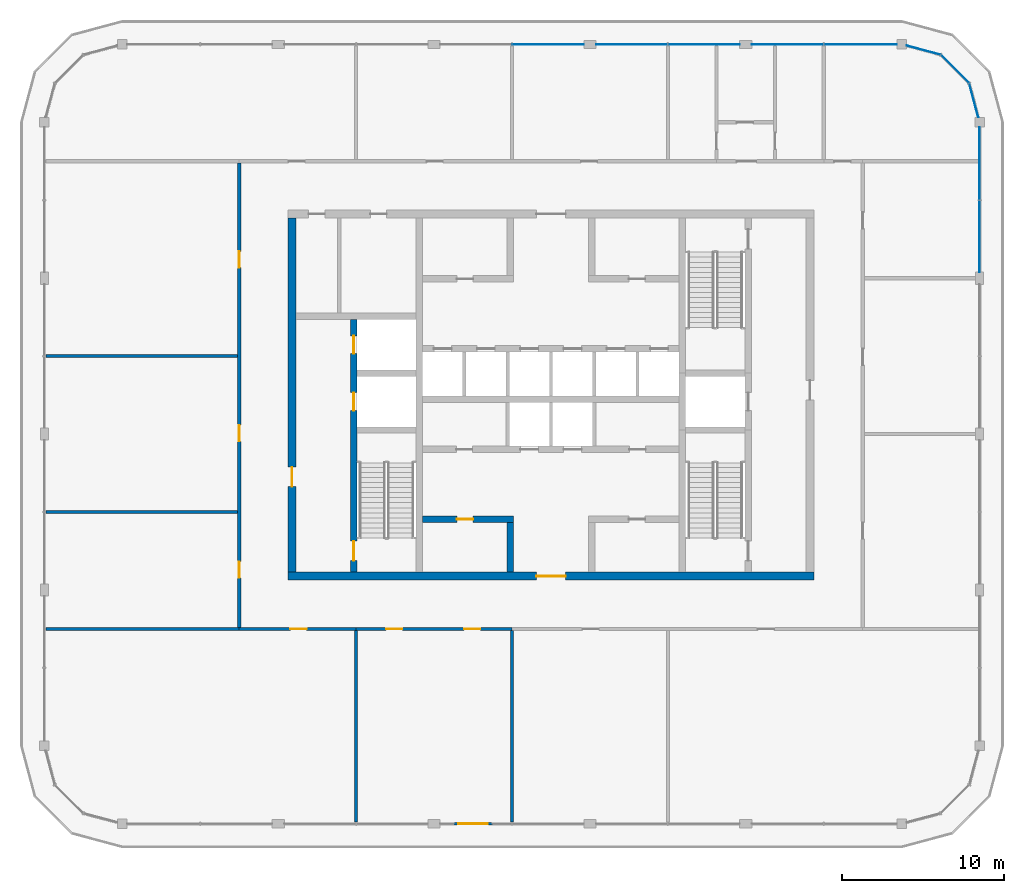
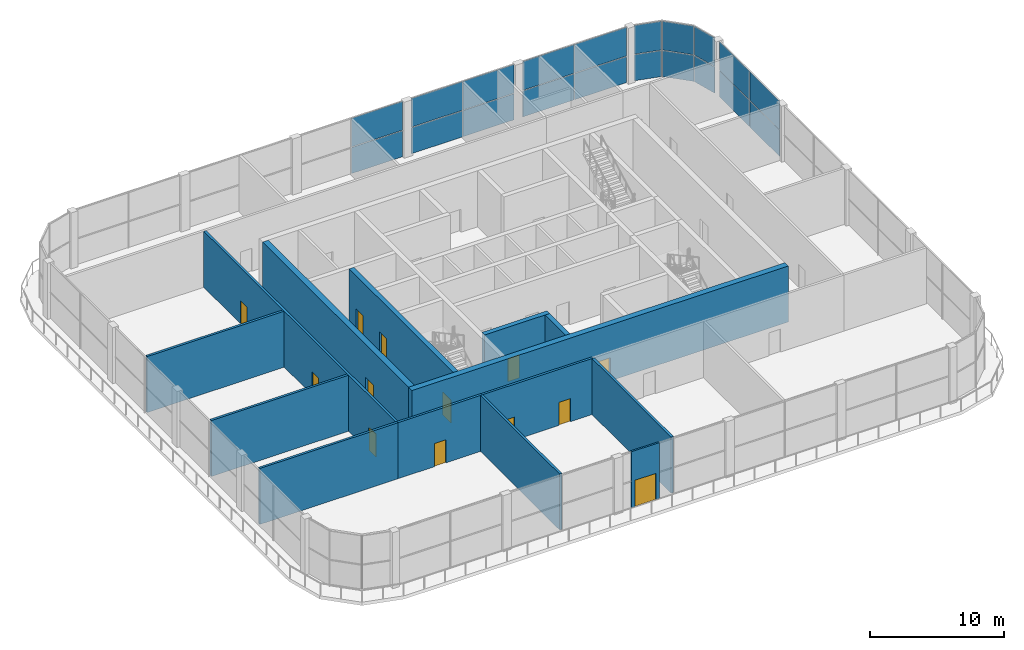
# One storey, part 9 of 15: 20 plates, 14 walls, 13 doors, 13 openings, 5 elements without a shape of their own.
"""IFC4 building model written with IfcOpenShell, lengths in metres."""

from ifc_helpers import new_model, si_unit, direction, frame, frame_2d, origin, origin_2d, place, context, subcontext, project, spatial, rectangle, extrude, material, layer, layer_set, type_object, element, fill, aggregate, save


model = new_model("IFC4")

# Units and contexts
model_context = context("Model", 3, precision=1e-05, world=origin(), true_north=direction((0.0, 1.0)))
body_context = subcontext(model_context, "Body", "Model", "MODEL_VIEW")
ifc_project = project(units=[si_unit("LENGTHUNIT", "METRE"), si_unit("AREAUNIT", "SQUARE_METRE"), si_unit("VOLUMEUNIT", "CUBIC_METRE"), si_unit("PLANEANGLEUNIT", "RADIAN"), si_unit("MASSUNIT", "GRAM", prefix="KILO")], contexts=[model_context])

# Site, building, storey
site_placement = place(None, origin())
site = spatial("IfcSite", under=ifc_project, at=site_placement, CompositionType="ELEMENT")
building_placement = place(site_placement, origin())
building = spatial("IfcBuilding", under=site, at=building_placement, Name="Madar Terraces", CompositionType="ELEMENT")
storey_placement = place(building_placement, frame((0.0, 0.0, 286.10009765625)))
storey = spatial("IfcBuildingStorey", under=building, at=storey_placement, Name="L75", CompositionType="ELEMENT", Elevation=286.10009765625)

# Curtain wall, plates
ifc_material_1 = material(Name="Glass, clear low-iron, with black aluminium frame", Category="aluminium")
ifc_layer_1 = layer(ifc_material_1, 0.199951171875)
ifc_layer_set_1 = layer_set([ifc_layer_1], Name="Facade curtain wall, observation glazing")
curtain_wall_type = type_object("IfcCurtainWallType", Name="Facade curtain wall, observation glazing", PredefinedType="NOTDEFINED", material=ifc_layer_set_1)
curtain_wall_1_placement = place(storey_placement, origin())
curtain_wall_1 = element("IfcCurtainWall", 1, at=curtain_wall_1_placement, inside=storey, type_object=curtain_wall_type, Name="Outer skin curtain wall east bay 4", PredefinedType="NOTDEFINED")
ifc_material_2 = material(Name="Glass, ceramic frit dark grey", Category="glass")
ifc_layer_2 = layer(ifc_material_2, 0.028076171875)
ifc_layer_set_2 = layer_set([ifc_layer_2], Name="Facade glass panel 28")
plate_type = type_object("IfcPlateType", Name="Facade glass panel 28", PredefinedType="CURTAIN_PANEL", material=ifc_layer_set_2)
plate_1_placement = place(storey_placement, frame((57.60009765625, 36.172607421875, -0.000244140625), z_axis=(0.0, 0.0, 1.0), x_axis=(0.0, 1.0, 0.0)))
plate_1 = element("IfcPlate", 2, at=plate_1_placement, type_object=plate_type, Name="Panel 1", PredefinedType="CURTAIN_PANEL", context=body_context, shape_type="SweptSolid", body=[
    extrude(rectangle(XDim=4.39501953125, YDim=0.028076171875, at=origin_2d()), origin(), (0.0, 0.0, 1.0), 2.3701171875),
])
plate_2_placement = place(storey_placement, frame((57.60009765625, 36.172607421875, 2.4296875), z_axis=(0.0, 0.0, 1.0), x_axis=(0.0, 1.0, 0.0)))
plate_2 = element("IfcPlate", 3, at=plate_2_placement, type_object=plate_type, Name="Panel 2", PredefinedType="CURTAIN_PANEL", context=body_context, shape_type="SweptSolid", body=[
    extrude(rectangle(XDim=4.39501953125, YDim=0.028076171875, at=origin_2d()), origin(), (0.0, 0.0, 1.0), 2.610107421875),
])
plate_3_placement = place(storey_placement, frame((57.60009765625, 40.6650390625, -0.000244140625), z_axis=(0.0, 0.0, 1.0), x_axis=(0.0, 1.0, 0.0)))
plate_3 = element("IfcPlate", 4, at=plate_3_placement, type_object=plate_type, Name="Panel 3", PredefinedType="CURTAIN_PANEL", context=body_context, shape_type="SweptSolid", body=[
    extrude(rectangle(XDim=4.469970703125, YDim=0.028076171875, at=origin_2d()), origin(), (0.0, 0.0, 1.0), 2.3701171875),
])
plate_4_placement = place(storey_placement, frame((57.60009765625, 40.6650390625, 2.4296875), z_axis=(0.0, 0.0, 1.0), x_axis=(0.0, 1.0, 0.0)))
plate_4 = element("IfcPlate", 5, at=plate_4_placement, type_object=plate_type, Name="Panel 4", PredefinedType="CURTAIN_PANEL", context=body_context, shape_type="SweptSolid", body=[
    extrude(rectangle(XDim=4.469970703125, YDim=0.028076171875, at=origin_2d()), origin(), (0.0, 0.0, 1.0), 2.610107421875),
])
aggregate(curtain_wall_1, [plate_1, plate_2, plate_3, plate_4])

curtain_wall_2_placement = place(storey_placement, origin())
curtain_wall_2 = element("IfcCurtainWall", 6, at=curtain_wall_2_placement, inside=storey, type_object=curtain_wall_type, Name="Outer skin curtain wall north bay 1", PredefinedType="NOTDEFINED")
plate_5_placement = place(storey_placement, frame((50.264892578125, 48.0, -0.000244140625), z_axis=(0.0, 0.0, 1.0), x_axis=(-1.0, 0.0, 0.0)))
plate_5 = element("IfcPlate", 7, at=plate_5_placement, type_object=plate_type, Name="Panel 1", PredefinedType="CURTAIN_PANEL", context=body_context, shape_type="SweptSolid", body=[
    extrude(rectangle(XDim=4.469970703125, YDim=0.028076171875, at=origin_2d()), origin(), (0.0, 0.0, 1.0), 2.3701171875),
])
plate_6_placement = place(storey_placement, frame((50.264892578125, 48.0, 2.4296875), z_axis=(0.0, 0.0, 1.0), x_axis=(-1.0, 0.0, 0.0)))
plate_6 = element("IfcPlate", 8, at=plate_6_placement, type_object=plate_type, Name="Panel 2", PredefinedType="CURTAIN_PANEL", context=body_context, shape_type="SweptSolid", body=[
    extrude(rectangle(XDim=4.469970703125, YDim=0.028076171875, at=origin_2d()), origin(), (0.0, 0.0, 1.0), 2.610107421875),
])
plate_7_placement = place(storey_placement, frame((45.7724609375, 48.0, -0.000244140625), z_axis=(0.0, 0.0, 1.0), x_axis=(-1.0, 0.0, 0.0)))
plate_7 = element("IfcPlate", 9, at=plate_7_placement, type_object=plate_type, Name="Panel 3", PredefinedType="CURTAIN_PANEL", context=body_context, shape_type="SweptSolid", body=[
    extrude(rectangle(XDim=4.39501953125, YDim=0.028076171875, at=origin_2d()), origin(), (0.0, 0.0, 1.0), 2.3701171875),
])
plate_8_placement = place(storey_placement, frame((45.7724609375, 48.0, 2.4296875), z_axis=(0.0, 0.0, 1.0), x_axis=(-1.0, 0.0, 0.0)))
plate_8 = element("IfcPlate", 10, at=plate_8_placement, type_object=plate_type, Name="Panel 4", PredefinedType="CURTAIN_PANEL", context=body_context, shape_type="SweptSolid", body=[
    extrude(rectangle(XDim=4.39501953125, YDim=0.028076171875, at=origin_2d()), origin(), (0.0, 0.0, 1.0), 2.610107421875),
])
aggregate(curtain_wall_2, [plate_5, plate_6, plate_7, plate_8])

curtain_wall_3_placement = place(storey_placement, origin())
curtain_wall_3 = element("IfcCurtainWall", 11, at=curtain_wall_3_placement, inside=storey, type_object=curtain_wall_type, Name="Outer skin curtain wall north bay 2", PredefinedType="NOTDEFINED")
plate_9_placement = place(storey_placement, frame((40.62744140625, 48.0, -0.000244140625), z_axis=(0.0, 0.0, 1.0), x_axis=(-1.0, 0.0, 0.0)))
plate_9 = element("IfcPlate", 12, at=plate_9_placement, type_object=plate_type, Name="Panel 1", PredefinedType="CURTAIN_PANEL", context=body_context, shape_type="SweptSolid", body=[
    extrude(rectangle(XDim=4.39501953125, YDim=0.028076171875, at=origin_2d()), origin(), (0.0, 0.0, 1.0), 2.3701171875),
])
plate_10_placement = place(storey_placement, frame((40.62744140625, 48.0, 2.4296875), z_axis=(0.0, 0.0, 1.0), x_axis=(-1.0, 0.0, 0.0)))
plate_10 = element("IfcPlate", 13, at=plate_10_placement, type_object=plate_type, Name="Panel 2", PredefinedType="CURTAIN_PANEL", context=body_context, shape_type="SweptSolid", body=[
    extrude(rectangle(XDim=4.39501953125, YDim=0.028076171875, at=origin_2d()), origin(), (0.0, 0.0, 1.0), 2.610107421875),
])
plate_11_placement = place(storey_placement, frame((36.172607421875, 48.0, -0.000244140625), z_axis=(0.0, 0.0, 1.0), x_axis=(-1.0, 0.0, 0.0)))
plate_11 = element("IfcPlate", 14, at=plate_11_placement, type_object=plate_type, Name="Panel 3", PredefinedType="CURTAIN_PANEL", context=body_context, shape_type="SweptSolid", body=[
    extrude(rectangle(XDim=4.39501953125, YDim=0.028076171875, at=origin_2d()), origin(), (0.0, 0.0, 1.0), 2.3701171875),
])
plate_12_placement = place(storey_placement, frame((36.172607421875, 48.0, 2.4296875), z_axis=(0.0, 0.0, 1.0), x_axis=(-1.0, 0.0, 0.0)))
plate_12 = element("IfcPlate", 15, at=plate_12_placement, type_object=plate_type, Name="Panel 4", PredefinedType="CURTAIN_PANEL", context=body_context, shape_type="SweptSolid", body=[
    extrude(rectangle(XDim=4.39501953125, YDim=0.028076171875, at=origin_2d()), origin(), (0.0, 0.0, 1.0), 2.610107421875),
])
aggregate(curtain_wall_3, [plate_9, plate_10, plate_11, plate_12])

curtain_wall_4_placement = place(storey_placement, origin())
curtain_wall_4 = element("IfcCurtainWall", 16, at=curtain_wall_4_placement, inside=storey, type_object=curtain_wall_type, Name="Outer skin curtain wall north bay 3", PredefinedType="NOTDEFINED")
plate_13_placement = place(storey_placement, frame((31.027587890625, 48.0, -0.000244140625), z_axis=(0.0, 0.0, 1.0), x_axis=(-1.0, 0.0, 0.0)))
plate_13 = element("IfcPlate", 17, at=plate_13_placement, type_object=plate_type, Name="Panel 1", PredefinedType="CURTAIN_PANEL", context=body_context, shape_type="SweptSolid", body=[
    extrude(rectangle(XDim=4.39501953125, YDim=0.028076171875, at=origin_2d()), origin(), (0.0, 0.0, 1.0), 2.3701171875),
])
plate_14_placement = place(storey_placement, frame((31.027587890625, 48.0, 2.4296875), z_axis=(0.0, 0.0, 1.0), x_axis=(-1.0, 0.0, 0.0)))
plate_14 = element("IfcPlate", 18, at=plate_14_placement, type_object=plate_type, Name="Panel 2", PredefinedType="CURTAIN_PANEL", context=body_context, shape_type="SweptSolid", body=[
    extrude(rectangle(XDim=4.39501953125, YDim=0.028076171875, at=origin_2d()), origin(), (0.0, 0.0, 1.0), 2.610107421875),
])
aggregate(curtain_wall_4, [plate_13, plate_14])

curtain_wall_5_placement = place(storey_placement, origin())
curtain_wall_5 = element("IfcCurtainWall", 19, at=curtain_wall_5_placement, inside=storey, type_object=curtain_wall_type, Name="Outer skin curtain wall north-east corner", PredefinedType="NOTDEFINED")
plate_15_placement = place(storey_placement, frame((57.2421875, 44.535400390625, -0.000244140625), z_axis=(0.0, 0.0, 1.0), x_axis=(-0.258819021888, 0.965925832509, 0.0)))
plate_15 = element("IfcPlate", 20, at=plate_15_placement, type_object=plate_type, Name="Panel 1", PredefinedType="CURTAIN_PANEL", context=body_context, shape_type="SweptSolid", body=[
    extrude(rectangle(XDim=2.14404296875, YDim=0.028076171875, at=origin_2d()), origin(), (0.0, 0.0, 1.0), 2.3701171875),
])
plate_16_placement = place(storey_placement, frame((57.2421875, 44.535400390625, 2.4296875), z_axis=(0.0, 0.0, 1.0), x_axis=(-0.258819021888, 0.965925832509, 0.0)))
plate_16 = element("IfcPlate", 21, at=plate_16_placement, type_object=plate_type, Name="Panel 2", PredefinedType="CURTAIN_PANEL", context=body_context, shape_type="SweptSolid", body=[
    extrude(rectangle(XDim=2.14404296875, YDim=0.028076171875, at=origin_2d()), origin(), (0.0, 0.0, 1.0), 2.610107421875),
])
plate_17_placement = place(storey_placement, frame((56.078369140625, 46.478515625, -0.000244140625), z_axis=(0.0, 0.0, 1.0), x_axis=(-0.707106781187, 0.707106781187, 0.0)))
plate_17 = element("IfcPlate", 22, at=plate_17_placement, type_object=plate_type, Name="Panel 3", PredefinedType="CURTAIN_PANEL", context=body_context, shape_type="SweptSolid", body=[
    extrude(rectangle(XDim=2.424560546875, YDim=0.028076171875, at=origin_2d()), origin(), (0.0, 0.0, 1.0), 2.3701171875),
])
plate_18_placement = place(storey_placement, frame((56.078369140625, 46.478515625, 2.4296875), z_axis=(0.0, 0.0, 1.0), x_axis=(-0.707106781187, 0.707106781187, 0.0)))
plate_18 = element("IfcPlate", 23, at=plate_18_placement, type_object=plate_type, Name="Panel 4", PredefinedType="CURTAIN_PANEL", context=body_context, shape_type="SweptSolid", body=[
    extrude(rectangle(XDim=2.424560546875, YDim=0.028076171875, at=origin_2d()), origin(), (0.0, 0.0, 1.0), 2.610107421875),
])
plate_19_placement = place(storey_placement, frame((54.135498046875, 47.64208984375, -0.000244140625), z_axis=(0.0, 0.0, 1.0), x_axis=(-0.965925832509, 0.258819021888, 0.0)))
plate_19 = element("IfcPlate", 24, at=plate_19_placement, type_object=plate_type, Name="Panel 5", PredefinedType="CURTAIN_PANEL", context=body_context, shape_type="SweptSolid", body=[
    extrude(rectangle(XDim=2.14404296875, YDim=0.028076171875, at=origin_2d()), origin(), (0.0, 0.0, 1.0), 2.3701171875),
])
plate_20_placement = place(storey_placement, frame((54.135498046875, 47.64208984375, 2.4296875), z_axis=(0.0, 0.0, 1.0), x_axis=(-0.965925832509, 0.258819021888, 0.0)))
plate_20 = element("IfcPlate", 25, at=plate_20_placement, type_object=plate_type, Name="Panel 6", PredefinedType="CURTAIN_PANEL", context=body_context, shape_type="SweptSolid", body=[
    extrude(rectangle(XDim=2.14404296875, YDim=0.028076171875, at=origin_2d()), origin(), (0.0, 0.0, 1.0), 2.610107421875),
])
aggregate(curtain_wall_5, [plate_15, plate_16, plate_17, plate_18, plate_19, plate_20])

# Wall, openings, doors
ifc_material_3 = material(Name="Concrete C50/60", Category="concrete")
ifc_layer_3 = layer(ifc_material_3, 0.39990234375)
ifc_layer_set_3 = layer_set([ifc_layer_3], Name="Concrete C50/60 (CIW6 RC wall 400)")
wall_type_1 = type_object("IfcWallType", Name="CIW6 RC wall 400", PredefinedType="SHEAR", material=ifc_layer_set_3)
wall_1_placement = place(storey_placement, frame((19.050048828125, 15.5, 0.0), z_axis=(0.0, 0.0, 1.0), x_axis=(0.0, 1.0, 0.0)))
wall_1 = element("IfcWall", 26, at=wall_1_placement, inside=storey, type_object=wall_type_1, Name="CORE SHAFT WALL", PredefinedType="SHEAR", context=body_context, shape_type="SweptSolid", body=[
    extrude(rectangle(XDim=15.550048828125, YDim=0.39990234375, at=frame_2d((7.77490234375, 0.0))), origin(), (0.0, 0.0, 1.0), 5.099853515625),
])
opening_1_placement = place(wall_1_placement, frame((9.949951171875, 0.0, 0.0)))
opening_1 = element("IfcOpeningElement", 27, at=opening_1_placement, cuts=wall_1, Name="Opening LD", PredefinedType="OPENING", context=body_context, shape_type="SweptSolid", body=[
    extrude(rectangle(XDim=1.10009765625, YDim=2.10009765625, at=frame_2d((0.550048828125, 1.050048828125))), frame((0.0, 0.2099609375, 0.0), z_axis=(0.0, -1.0, 0.0), x_axis=(1.0, 0.0, 0.0)), (0.0, 0.0, 1.0), 0.419921875),
])
opening_2_placement = place(wall_1_placement, frame((13.449951171875, 0.0, 0.0)))
opening_2 = element("IfcOpeningElement", 28, at=opening_2_placement, cuts=wall_1, Name="Opening LD", PredefinedType="OPENING", context=body_context, shape_type="SweptSolid", body=[
    extrude(rectangle(XDim=1.10009765625, YDim=2.10009765625, at=frame_2d((0.550048828125, 1.050048828125))), frame((0.0, 0.2099609375, 0.0), z_axis=(0.0, -1.0, 0.0), x_axis=(1.0, 0.0, 0.0)), (0.0, 0.0, 1.0), 0.419921875),
])
opening_3_placement = place(wall_1_placement, frame((0.699951171875, 0.0, 0.0)))
opening_3 = element("IfcOpeningElement", 29, at=opening_3_placement, cuts=wall_1, Name="Opening SD1", PredefinedType="OPENING", context=body_context, shape_type="SweptSolid", body=[
    extrude(rectangle(XDim=1.199951171875, YDim=2.10009765625, at=frame_2d((0.60009765625, 1.050048828125))), frame((0.0, 0.2099609375, 0.0), z_axis=(0.0, -1.0, 0.0), x_axis=(1.0, 0.0, 0.0)), (0.0, 0.0, 1.0), 0.419921875),
])
ifc_material_4 = material(Name="Stainless steel panel", Category="steel")
door_type_1 = type_object("IfcDoorType", Name="Lift landing door 1100 x 2100", OperationType="DOUBLE_DOOR_SLIDING", PredefinedType="DOOR", material=ifc_material_4)
door_1_placement = place(opening_1_placement, origin())
door_1 = element("IfcDoor", 30, at=door_1_placement, inside=storey, type_object=door_type_1, Name="LIFT LANDING DOOR", OperationType="DOUBLE_DOOR_SLIDING", OverallHeight=2.10009765625, OverallWidth=1.10009765625, PredefinedType="DOOR", context=body_context, shape_type="SweptSolid", body=[
    extrude(rectangle(XDim=1.10009765625, YDim=2.10009765625, at=frame_2d((0.550048828125, 1.050048828125))), frame((0.0, 0.02490234375, 0.0), z_axis=(0.0, -1.0, 0.0), x_axis=(1.0, 0.0, 0.0)), (0.0, 0.0, 1.0), 0.050048828125),
])
fill(opening_1, door_1)
door_2_placement = place(opening_2_placement, origin())
door_2 = element("IfcDoor", 31, at=door_2_placement, inside=storey, type_object=door_type_1, Name="LIFT LANDING DOOR", OperationType="DOUBLE_DOOR_SLIDING", OverallHeight=2.10009765625, OverallWidth=1.10009765625, PredefinedType="DOOR", context=body_context, shape_type="SweptSolid", body=[
    extrude(rectangle(XDim=1.10009765625, YDim=2.10009765625, at=frame_2d((0.550048828125, 1.050048828125))), frame((0.0, 0.02490234375, 0.0), z_axis=(0.0, -1.0, 0.0), x_axis=(1.0, 0.0, 0.0)), (0.0, 0.0, 1.0), 0.050048828125),
])
fill(opening_2, door_2)
ifc_material_5 = material(Name="Steel door leaf", Category="steel")
door_type_2 = type_object("IfcDoorType", Name="Stair door 1200 x 2100", OperationType="NOTDEFINED", PredefinedType="DOOR", material=ifc_material_5)
door_3_placement = place(opening_3_placement, frame((1.199951171875, 0.0, 0.0), z_axis=(0.0, 0.0, 1.0), x_axis=(-1.0, 0.0, 0.0)))
door_3 = element("IfcDoor", 32, at=door_3_placement, inside=storey, type_object=door_type_2, Name="STAIR DOOR", OperationType="SINGLE_SWING_LEFT", OverallHeight=2.10009765625, OverallWidth=1.199951171875, PredefinedType="DOOR", context=body_context, shape_type="SweptSolid", body=[
    extrude(rectangle(XDim=1.199951171875, YDim=2.10009765625, at=frame_2d((0.60009765625, 1.050048828125))), frame((0.0, 0.02490234375, 0.0), z_axis=(0.0, -1.0, 0.0), x_axis=(1.0, 0.0, 0.0)), (0.0, 0.0, 1.0), 0.050048828125),
])
fill(opening_3, door_3)

# Wall, opening, door
wall_2_placement = place(storey_placement, frame((23.300048828125, 18.75, 0.0), z_axis=(0.0, 0.0, 1.0), x_axis=(1.0, 0.0, 0.0)))
wall_2 = element("IfcWall", 33, at=wall_2_placement, inside=storey, type_object=wall_type_1, Name="CORE SHAFT WALL", PredefinedType="SHEAR", context=body_context, shape_type="SweptSolid", body=[
    extrude(rectangle(XDim=5.599853515625, YDim=0.39990234375, at=frame_2d((2.7998046875, 0.0))), origin(), (0.0, 0.0, 1.0), 5.099853515625),
])
opening_4_placement = place(wall_2_placement, frame((2.10009765625, 0.0, 0.0)))
opening_4 = element("IfcOpeningElement", 34, at=opening_4_placement, cuts=wall_2, Name="Opening KD2", PredefinedType="OPENING", context=body_context, shape_type="SweptSolid", body=[
    extrude(rectangle(XDim=1.0, YDim=2.10009765625, at=frame_2d((0.5, 1.050048828125))), frame((0.0, 0.2099609375, 0.0), z_axis=(0.0, -1.0, 0.0), x_axis=(1.0, 0.0, 0.0)), (0.0, 0.0, 1.0), 0.419921875),
])
ifc_material_6 = material(Name="Steel door leaf", Category="steel")
door_type_3 = type_object("IfcDoorType", Name="Service room door 1000 x 2100", OperationType="NOTDEFINED", PredefinedType="DOOR", material=ifc_material_6)
door_4_placement = place(opening_4_placement, origin())
door_4 = element("IfcDoor", 35, at=door_4_placement, inside=storey, type_object=door_type_3, Name="SERVICE ROOM DOOR", OperationType="SINGLE_SWING_RIGHT", OverallHeight=2.10009765625, OverallWidth=1.0, PredefinedType="DOOR", context=body_context, shape_type="SweptSolid", body=[
    extrude(rectangle(XDim=1.0, YDim=2.10009765625, at=frame_2d((0.5, 1.050048828125))), frame((0.0, 0.02490234375, 0.0), z_axis=(0.0, -1.0, 0.0), x_axis=(1.0, 0.0, 0.0)), (0.0, 0.0, 1.0), 0.050048828125),
])
fill(opening_4, door_4)

# Wall
wall_3_placement = place(storey_placement, frame((28.699951171875, 15.5, 0.0), z_axis=(0.0, 0.0, 1.0), x_axis=(0.0, 1.0, 0.0)))
element("IfcWall", 36, at=wall_3_placement, inside=storey, type_object=wall_type_1, Name="CORE SHAFT WALL", PredefinedType="SHEAR", context=body_context, shape_type="SweptSolid", body=[
    extrude(rectangle(XDim=3.050048828125, YDim=0.39990234375, at=frame_2d((1.52490234375, 0.0))), origin(), (0.0, 0.0, 1.0), 5.099853515625),
])

# Wall, opening, door
ifc_material_7 = material(Name="Concrete C50/60", Category="concrete")
ifc_layer_4 = layer(ifc_material_7, 0.5)
ifc_layer_set_4 = layer_set([ifc_layer_4], Name="Concrete C50/60 (CRW6 RC wall 500)")
wall_type_2 = type_object("IfcWallType", Name="CRW6 RC wall 500", PredefinedType="SHEAR", material=ifc_layer_set_4)
wall_4_placement = place(storey_placement, frame((15.0, 15.25, 0.0), z_axis=(0.0, 0.0, 1.0), x_axis=(1.0, 0.0, 0.0)))
wall_4 = element("IfcWall", 37, at=wall_4_placement, inside=storey, type_object=wall_type_2, Name="CORE OUTER WALL", PredefinedType="SHEAR", context=body_context, shape_type="SweptSolid", body=[
    extrude(rectangle(XDim=32.39990234375, YDim=0.5, at=frame_2d((16.199951171875, 0.0))), origin(), (0.0, 0.0, 1.0), 5.099853515625),
])
opening_5_placement = place(wall_4_placement, frame((15.300048828125, 0.0, 0.0)))
opening_5 = element("IfcOpeningElement", 38, at=opening_5_placement, cuts=wall_4, Name="Opening KD1", PredefinedType="OPENING", context=body_context, shape_type="SweptSolid", body=[
    extrude(rectangle(XDim=1.800048828125, YDim=2.10009765625, at=frame_2d((0.89990234375, 1.050048828125))), frame((0.0, 0.260009765625, 0.0), z_axis=(0.0, -1.0, 0.0), x_axis=(1.0, 0.0, 0.0)), (0.0, 0.0, 1.0), 0.52001953125),
])
ifc_material_8 = material(Name="Steel door leaf", Category="steel")
door_type_4 = type_object("IfcDoorType", Name="Lobby door pair 1800 x 2100", OperationType="DOUBLE_DOOR_SINGLE_SWING", PredefinedType="DOOR", material=ifc_material_8)
door_5_placement = place(opening_5_placement, frame((1.800048828125, 0.0, 0.0), z_axis=(0.0, 0.0, 1.0), x_axis=(-1.0, 0.0, 0.0)))
door_5 = element("IfcDoor", 39, at=door_5_placement, inside=storey, type_object=door_type_4, Name="LIFT LOBBY DOOR", OperationType="DOUBLE_DOOR_SINGLE_SWING", OverallHeight=2.10009765625, OverallWidth=1.800048828125, PredefinedType="DOOR", context=body_context, shape_type="SweptSolid", body=[
    extrude(rectangle(XDim=1.800048828125, YDim=2.10009765625, at=frame_2d((0.89990234375, 1.050048828125))), frame((0.0, 0.02490234375, 0.0), z_axis=(0.0, -1.0, 0.0), x_axis=(1.0, 0.0, 0.0)), (0.0, 0.0, 1.0), 0.050048828125),
])
fill(opening_5, door_5)

wall_5_placement = place(storey_placement, frame((15.25, 15.5, 0.0), z_axis=(0.0, 0.0, 1.0), x_axis=(0.0, 1.0, 0.0)))
wall_5 = element("IfcWall", 40, at=wall_5_placement, inside=storey, type_object=wall_type_2, Name="CORE OUTER WALL", PredefinedType="SHEAR", context=body_context, shape_type="SweptSolid", body=[
    extrude(rectangle(XDim=21.800048828125, YDim=0.5, at=frame_2d((10.89990234375, 0.0))), origin(), (0.0, 0.0, 1.0), 5.099853515625),
])
opening_6_placement = place(wall_5_placement, frame((5.260009765625, 0.0, 0.0)))
opening_6 = element("IfcOpeningElement", 41, at=opening_6_placement, cuts=wall_5, Name="Opening SD1", PredefinedType="OPENING", context=body_context, shape_type="SweptSolid", body=[
    extrude(rectangle(XDim=1.199951171875, YDim=2.10009765625, at=frame_2d((0.60009765625, 1.050048828125))), frame((0.0, 0.260009765625, 0.0), z_axis=(0.0, -1.0, 0.0), x_axis=(1.0, 0.0, 0.0)), (0.0, 0.0, 1.0), 0.52001953125),
])
door_6_placement = place(opening_6_placement, frame((1.199951171875, 0.0, 0.0), z_axis=(0.0, 0.0, 1.0), x_axis=(-1.0, 0.0, 0.0)))
door_6 = element("IfcDoor", 42, at=door_6_placement, inside=storey, type_object=door_type_2, Name="STAIR DOOR", OperationType="SINGLE_SWING_RIGHT", OverallHeight=2.10009765625, OverallWidth=1.199951171875, PredefinedType="DOOR", context=body_context, shape_type="SweptSolid", body=[
    extrude(rectangle(XDim=1.199951171875, YDim=2.10009765625, at=frame_2d((0.60009765625, 1.050048828125))), frame((0.0, 0.02490234375, 0.0), z_axis=(0.0, -1.0, 0.0), x_axis=(1.0, 0.0, 0.0)), (0.0, 0.0, 1.0), 0.050048828125),
])
fill(opening_6, door_6)

ifc_material_9 = material(Name="Aluminium composite panel, black, over insulated backing", Category="aluminium")
ifc_layer_5 = layer(ifc_material_9, 0.14990234375)
ifc_layer_set_5 = layer_set([ifc_layer_5], Name="Facade bay panel 150")
wall_type_3 = type_object("IfcWallType", Name="Facade bay panel 150", PredefinedType="SOLIDWALL", material=ifc_layer_set_5)
wall_6_placement = place(storey_placement, frame((25.199951171875, 0.0, 0.0), z_axis=(0.0, 0.0, 1.0), x_axis=(1.0, 0.0, 0.0)))
wall_6 = element("IfcWall", 43, at=wall_6_placement, inside=storey, type_object=wall_type_3, Name="Facade bay panel", PredefinedType="SOLIDWALL", context=body_context, shape_type="SweptSolid", body=[
    extrude(rectangle(XDim=2.400146484375, YDim=0.14990234375, at=frame_2d((1.2001953125, 0.0))), origin(), (0.0, 0.0, 1.0), 5.099853515625),
])
opening_7_placement = place(wall_6_placement, frame((0.300048828125, 0.0, 0.0)))
opening_7 = element("IfcOpeningElement", 44, at=opening_7_placement, cuts=wall_6, Name="Opening ED1", PredefinedType="OPENING", context=body_context, shape_type="SweptSolid", body=[
    extrude(rectangle(XDim=1.800048828125, YDim=2.39990234375, at=frame_2d((0.89990234375, 1.199951171875))), frame((0.0, 0.0849609375, 0.0), z_axis=(0.0, -1.0, 0.0), x_axis=(1.0, 0.0, 0.0)), (0.0, 0.0, 1.0), 0.169921875),
])
ifc_material_10 = material(Name="Glass, clear, with black aluminium frame", Category="aluminium")
door_type_5 = type_object("IfcDoorType", Name="Balcony and terrace sliding door 1800 x 2400", OperationType="SLIDING_TO_LEFT", PredefinedType="DOOR", material=ifc_material_10)
door_7_placement = place(opening_7_placement, origin())
door_7 = element("IfcDoor", 45, at=door_7_placement, inside=storey, type_object=door_type_5, Name="Balcony door", OperationType="SLIDING_TO_LEFT", OverallHeight=2.39990234375, OverallWidth=1.800048828125, PredefinedType="DOOR", context=body_context, shape_type="SweptSolid", body=[
    extrude(rectangle(XDim=1.800048828125, YDim=2.39990234375, at=frame_2d((0.89990234375, 1.199951171875))), frame((0.0, 0.02490234375, 0.0), z_axis=(0.0, -1.0, 0.0), x_axis=(1.0, 0.0, 0.0)), (0.0, 0.0, 1.0), 0.050048828125),
])
fill(opening_7, door_7)

# Wall
ifc_material_11 = material(Name="Gypsum board partition, fire-rated")
ifc_layer_6 = layer(ifc_material_11, 0.199951171875)
ifc_layer_set_6 = layer_set([ifc_layer_6], Name="Partition 200 EI 60")
wall_type_4 = type_object("IfcWallType", Name="Partition 200 EI 60", PredefinedType="PARTITIONING", material=ifc_layer_set_6)
wall_7_placement = place(storey_placement, frame((0.10009765625, 12.0, 0.0), z_axis=(0.0, 0.0, 1.0), x_axis=(1.0, 0.0, 0.0)))
element("IfcWall", 46, at=wall_7_placement, inside=storey, type_object=wall_type_4, Name="Wall ORIENTATION ROOM / VISITOR CENTRE", PredefinedType="PARTITIONING", context=body_context, shape_type="SweptSolid", body=[
    extrude(rectangle(XDim=11.89990234375, YDim=0.199951171875, at=frame_2d((5.949951171875, 0.0))), origin(), (0.0, 0.0, 1.0), 5.099853515625),
])

# Wall, opening, door
wall_8_placement = place(storey_placement, frame((19.199951171875, 12.0, 0.0), z_axis=(0.0, 0.0, 1.0), x_axis=(-1.0, 0.0, 0.0)))
wall_8 = element("IfcWall", 47, at=wall_8_placement, inside=storey, type_object=wall_type_4, Name="Wall ORIENTATION ROOM / RING CORRIDOR", PredefinedType="PARTITIONING", context=body_context, shape_type="SweptSolid", body=[
    extrude(rectangle(XDim=7.199951171875, YDim=0.199951171875, at=frame_2d((3.60009765625, 0.0))), origin(), (0.0, 0.0, 1.0), 5.099853515625),
])
opening_8_placement = place(wall_8_placement, frame((3.050048828125, 0.0, 0.0)))
opening_8 = element("IfcOpeningElement", 48, at=opening_8_placement, cuts=wall_8, Name="Opening D31", PredefinedType="OPENING", context=body_context, shape_type="SweptSolid", body=[
    extrude(rectangle(XDim=1.0, YDim=2.10009765625, at=frame_2d((0.5, 1.050048828125))), frame((0.0, 0.10986328125, 0.0), z_axis=(0.0, -1.0, 0.0), x_axis=(1.0, 0.0, 0.0)), (0.0, 0.0, 1.0), 0.219970703125),
])
ifc_material_12 = material(Name="Timber door leaf, fire-rated", Category="wood")
door_type_6 = type_object("IfcDoorType", Name="Podium door 1000 x 2100 FD30S", OperationType="NOTDEFINED", PredefinedType="DOOR", material=ifc_material_12)
door_8_placement = place(opening_8_placement, origin())
door_8 = element("IfcDoor", 49, at=door_8_placement, inside=storey, type_object=door_type_6, Name="Door ORIENTATION ROOM / RING CORRIDOR", OperationType="SINGLE_SWING_LEFT", OverallHeight=2.10009765625, OverallWidth=1.0, PredefinedType="DOOR", context=body_context, shape_type="SweptSolid", body=[
    extrude(rectangle(XDim=1.0, YDim=2.10009765625, at=frame_2d((0.5, 1.050048828125))), frame((0.0, 0.02490234375, 0.0), z_axis=(0.0, -1.0, 0.0), x_axis=(1.0, 0.0, 0.0)), (0.0, 0.0, 1.0), 0.050048828125),
])
fill(opening_8, door_8)

# Wall, openings, doors
wall_9_placement = place(storey_placement, frame((19.199951171875, 12.0, 0.0), z_axis=(0.0, 0.0, 1.0), x_axis=(1.0, 0.0, 0.0)))
wall_9 = element("IfcWall", 50, at=wall_9_placement, inside=storey, type_object=wall_type_4, Name="Wall OBSERVATION LOUNGE / RING CORRIDOR", PredefinedType="PARTITIONING", context=body_context, shape_type="SweptSolid", body=[
    extrude(rectangle(XDim=9.60009765625, YDim=0.199951171875, at=frame_2d((4.800048828125, 0.0))), origin(), (0.0, 0.0, 1.0), 5.099853515625),
])
opening_9_placement = place(wall_9_placement, frame((6.64990234375, 0.0, 0.0)))
opening_9 = element("IfcOpeningElement", 51, at=opening_9_placement, cuts=wall_9, Name="Opening D31", PredefinedType="OPENING", context=body_context, shape_type="SweptSolid", body=[
    extrude(rectangle(XDim=1.0, YDim=2.10009765625, at=frame_2d((0.5, 1.050048828125))), frame((0.0, 0.10986328125, 0.0), z_axis=(0.0, -1.0, 0.0), x_axis=(1.0, 0.0, 0.0)), (0.0, 0.0, 1.0), 0.219970703125),
])
opening_10_placement = place(wall_9_placement, frame((1.85009765625, 0.0, 0.0)))
opening_10 = element("IfcOpeningElement", 52, at=opening_10_placement, cuts=wall_9, Name="Opening D31", PredefinedType="OPENING", context=body_context, shape_type="SweptSolid", body=[
    extrude(rectangle(XDim=1.0, YDim=2.10009765625, at=frame_2d((0.5, 1.050048828125))), frame((0.0, 0.10986328125, 0.0), z_axis=(0.0, -1.0, 0.0), x_axis=(1.0, 0.0, 0.0)), (0.0, 0.0, 1.0), 0.219970703125),
])
door_9_placement = place(opening_9_placement, origin())
door_9 = element("IfcDoor", 53, at=door_9_placement, inside=storey, type_object=door_type_6, Name="Door OBSERVATION LOUNGE / RING CORRIDOR", OperationType="SINGLE_SWING_RIGHT", OverallHeight=2.10009765625, OverallWidth=1.0, PredefinedType="DOOR", context=body_context, shape_type="SweptSolid", body=[
    extrude(rectangle(XDim=1.0, YDim=2.10009765625, at=frame_2d((0.5, 1.050048828125))), frame((0.0, 0.02490234375, 0.0), z_axis=(0.0, -1.0, 0.0), x_axis=(1.0, 0.0, 0.0)), (0.0, 0.0, 1.0), 0.050048828125),
])
fill(opening_9, door_9)
door_10_placement = place(opening_10_placement, origin())
door_10 = element("IfcDoor", 54, at=door_10_placement, inside=storey, type_object=door_type_6, Name="Door OBSERVATION LOUNGE / RING CORRIDOR", OperationType="SINGLE_SWING_LEFT", OverallHeight=2.10009765625, OverallWidth=1.0, PredefinedType="DOOR", context=body_context, shape_type="SweptSolid", body=[
    extrude(rectangle(XDim=1.0, YDim=2.10009765625, at=frame_2d((0.5, 1.050048828125))), frame((0.0, 0.02490234375, 0.0), z_axis=(0.0, -1.0, 0.0), x_axis=(1.0, 0.0, 0.0)), (0.0, 0.0, 1.0), 0.050048828125),
])
fill(opening_10, door_10)

# Walls
for number, where, z_axis, x_axis, name in (
    (55, (0.10009765625, 19.199951171875, 0.0), (0.0, 0.0, 1.0), (1.0, 0.0, 0.0), "Wall VISITOR CENTRE / INTERPRETATION ROOM"),
    (56, (0.10009765625, 28.800048828125, 0.0), (0.0, 0.0, 1.0), (1.0, 0.0, 0.0), "Wall INTERPRETATION ROOM / HOBBY ROOM"),
):
    element("IfcWall", number, at=place(storey_placement, frame(where, z_axis=z_axis, x_axis=x_axis)), inside=storey, type_object=wall_type_4, Name=name, PredefinedType="PARTITIONING", context=body_context, shape_type="SweptSolid", body=[
        extrude(rectangle(XDim=11.7998046875, YDim=0.199951171875, at=frame_2d((5.89990234375, 0.0))), origin(), (0.0, 0.0, 1.0), 5.099853515625),
    ])

# Wall, openings, doors
wall_10_placement = place(storey_placement, frame((12.0, 12.10009765625, 0.0), z_axis=(0.0, 0.0, 1.0), x_axis=(0.0, 1.0, 0.0)))
wall_10 = element("IfcWall", 57, at=wall_10_placement, inside=storey, type_object=wall_type_4, Name="Wall HOBBY ROOM + INTERPRETATION ROOM", PredefinedType="PARTITIONING", context=body_context, shape_type="SweptSolid", body=[
    extrude(rectangle(XDim=28.599853515625, YDim=0.199951171875, at=frame_2d((14.2998046875, 0.0))), origin(), (0.0, 0.0, 1.0), 5.099853515625),
])
opening_11_placement = place(wall_10_placement, frame((3.050048828125, 0.0, 0.0)))
opening_11 = element("IfcOpeningElement", 58, at=opening_11_placement, cuts=wall_10, Name="Opening D31", PredefinedType="OPENING", context=body_context, shape_type="SweptSolid", body=[
    extrude(rectangle(XDim=1.0, YDim=2.10009765625, at=frame_2d((0.5, 1.050048828125))), frame((0.0, 0.10986328125, 0.0), z_axis=(0.0, -1.0, 0.0), x_axis=(1.0, 0.0, 0.0)), (0.0, 0.0, 1.0), 0.219970703125),
])
opening_12_placement = place(wall_10_placement, frame((11.449951171875, 0.0, 0.0)))
opening_12 = element("IfcOpeningElement", 59, at=opening_12_placement, cuts=wall_10, Name="Opening D31", PredefinedType="OPENING", context=body_context, shape_type="SweptSolid", body=[
    extrude(rectangle(XDim=1.0, YDim=2.10009765625, at=frame_2d((0.5, 1.050048828125))), frame((0.0, 0.10986328125, 0.0), z_axis=(0.0, -1.0, 0.0), x_axis=(1.0, 0.0, 0.0)), (0.0, 0.0, 1.0), 0.219970703125),
])
opening_13_placement = place(wall_10_placement, frame((22.14990234375, 0.0, 0.0)))
opening_13 = element("IfcOpeningElement", 60, at=opening_13_placement, cuts=wall_10, Name="Opening D31", PredefinedType="OPENING", context=body_context, shape_type="SweptSolid", body=[
    extrude(rectangle(XDim=1.0, YDim=2.10009765625, at=frame_2d((0.5, 1.050048828125))), frame((0.0, 0.10986328125, 0.0), z_axis=(0.0, -1.0, 0.0), x_axis=(1.0, 0.0, 0.0)), (0.0, 0.0, 1.0), 0.219970703125),
])
door_11_placement = place(opening_11_placement, origin())
door_11 = element("IfcDoor", 61, at=door_11_placement, inside=storey, type_object=door_type_6, Name="Door VISITOR CENTRE / RING CORRIDOR", OperationType="SINGLE_SWING_RIGHT", OverallHeight=2.10009765625, OverallWidth=1.0, PredefinedType="DOOR", context=body_context, shape_type="SweptSolid", body=[
    extrude(rectangle(XDim=1.0, YDim=2.10009765625, at=frame_2d((0.5, 1.050048828125))), frame((0.0, 0.02490234375, 0.0), z_axis=(0.0, -1.0, 0.0), x_axis=(1.0, 0.0, 0.0)), (0.0, 0.0, 1.0), 0.050048828125),
])
fill(opening_11, door_11)
door_12_placement = place(opening_12_placement, origin())
door_12 = element("IfcDoor", 62, at=door_12_placement, inside=storey, type_object=door_type_6, Name="Door INTERPRETATION ROOM / RING CORRIDOR", OperationType="SINGLE_SWING_RIGHT", OverallHeight=2.10009765625, OverallWidth=1.0, PredefinedType="DOOR", context=body_context, shape_type="SweptSolid", body=[
    extrude(rectangle(XDim=1.0, YDim=2.10009765625, at=frame_2d((0.5, 1.050048828125))), frame((0.0, 0.02490234375, 0.0), z_axis=(0.0, -1.0, 0.0), x_axis=(1.0, 0.0, 0.0)), (0.0, 0.0, 1.0), 0.050048828125),
])
fill(opening_12, door_12)
door_13_placement = place(opening_13_placement, origin())
door_13 = element("IfcDoor", 63, at=door_13_placement, inside=storey, type_object=door_type_6, Name="Door HOBBY ROOM / RING CORRIDOR", OperationType="SINGLE_SWING_RIGHT", OverallHeight=2.10009765625, OverallWidth=1.0, PredefinedType="DOOR", context=body_context, shape_type="SweptSolid", body=[
    extrude(rectangle(XDim=1.0, YDim=2.10009765625, at=frame_2d((0.5, 1.050048828125))), frame((0.0, 0.02490234375, 0.0), z_axis=(0.0, -1.0, 0.0), x_axis=(1.0, 0.0, 0.0)), (0.0, 0.0, 1.0), 0.050048828125),
])
fill(opening_13, door_13)

# Walls
for number, where, z_axis, x_axis, name in (
    (64, (19.199951171875, 0.10009765625, 0.0), (0.0, 0.0, 1.0), (0.0, 1.0, 0.0), "Wall ORIENTATION ROOM / OBSERVATION LOUNGE"),
    (65, (28.800048828125, 0.10009765625, 0.0), (0.0, 0.0, 1.0), (0.0, 1.0, 0.0), "Wall OBSERVATION LOUNGE / OUTLOOK ROOM"),
):
    element("IfcWall", number, at=place(storey_placement, frame(where, z_axis=z_axis, x_axis=x_axis)), inside=storey, type_object=wall_type_4, Name=name, PredefinedType="PARTITIONING", context=body_context, shape_type="SweptSolid", body=[
        extrude(rectangle(XDim=11.7998046875, YDim=0.199951171875, at=frame_2d((5.89990234375, 0.0))), origin(), (0.0, 0.0, 1.0), 5.099853515625),
    ])

save(model, "model.ifc")
